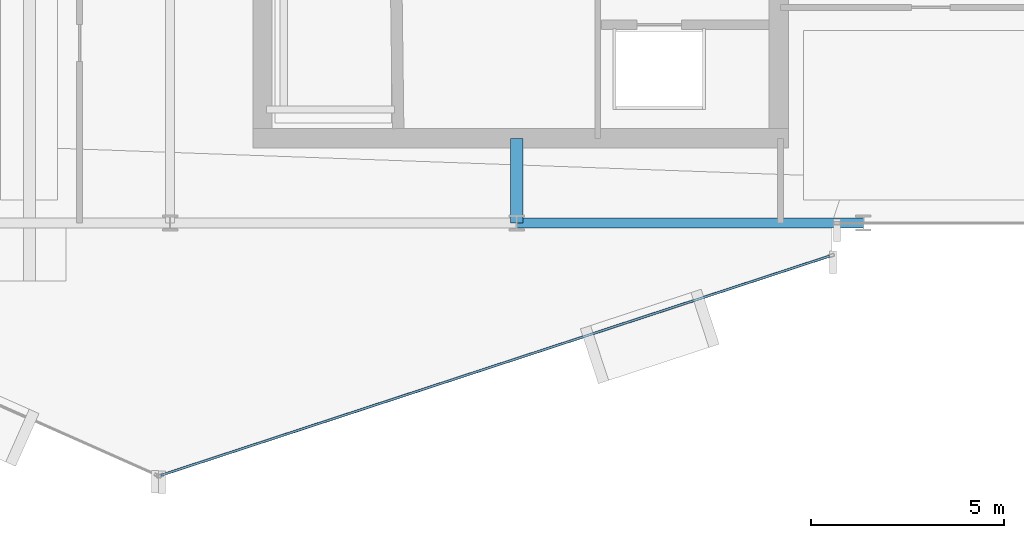
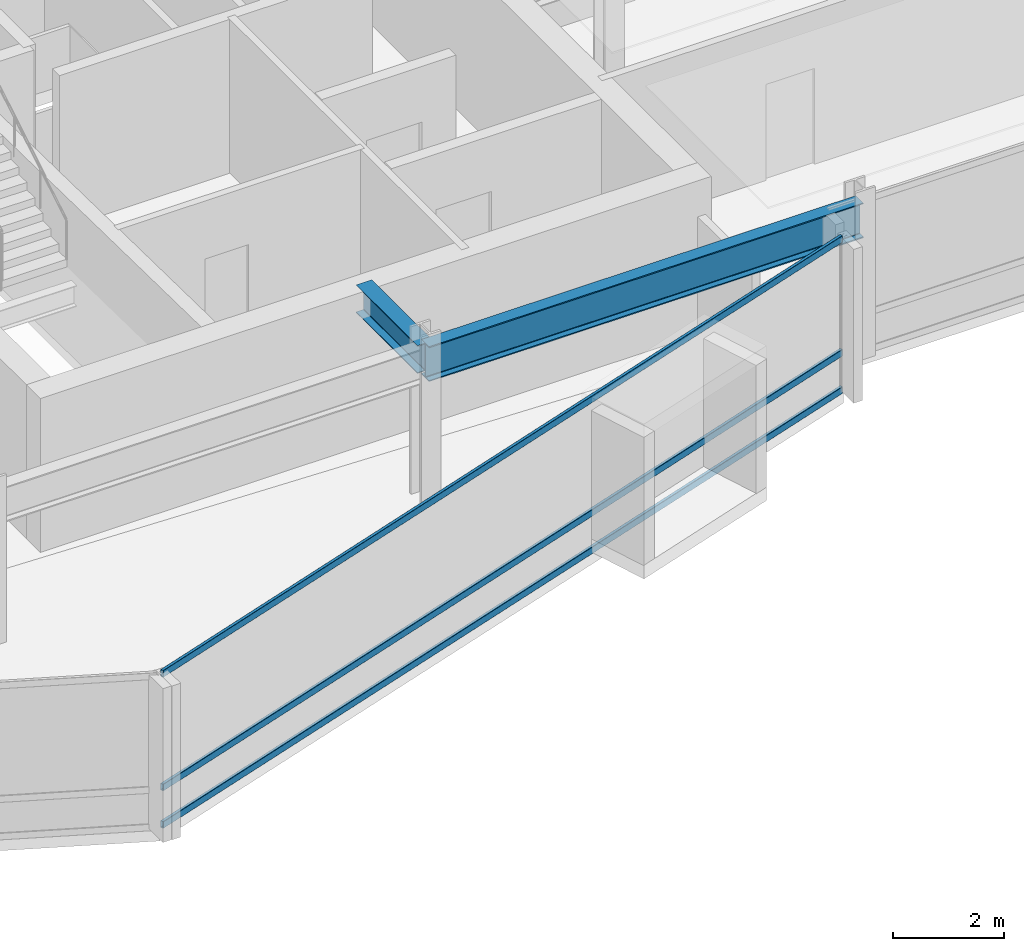
# One storey, part 9 of 27: 3 members, 2 beams, 1 element without a shape of its own.
"""IFC4 building model written with IfcOpenShell, lengths in metres."""

from ifc_helpers import new_model, si_unit, direction, frame, origin, origin_2d, place, context, subcontext, project, spatial, hollow_rectangle, i_section, extrude, material, layer, layer_set, material_profile, profile_set, type_object, element, aggregate, save


model = new_model("IFC4")

# Units and contexts
model_context = context("Model", 3, precision=1e-05, world=origin(), true_north=direction((0.0, 1.0)))
body_context = subcontext(model_context, "Body", "Model", "MODEL_VIEW")
ifc_project = project(units=[si_unit("LENGTHUNIT", "METRE"), si_unit("AREAUNIT", "SQUARE_METRE"), si_unit("VOLUMEUNIT", "CUBIC_METRE"), si_unit("PLANEANGLEUNIT", "RADIAN"), si_unit("MASSUNIT", "GRAM", prefix="KILO")], contexts=[model_context])

# Site, building, storey
site_placement = place(None, origin())
site = spatial("IfcSite", under=ifc_project, at=site_placement, CompositionType="ELEMENT")
building_placement = place(site_placement, origin())
building = spatial("IfcBuilding", under=site, at=building_placement, Name="Solvaryn Broadcast Tower", CompositionType="ELEMENT")
storey_placement = place(building_placement, frame((0.0, 0.0, 192.699951171875)))
storey = spatial("IfcBuildingStorey", under=building, at=storey_placement, Name="L48", CompositionType="ELEMENT", Elevation=192.699951171875)

# Beams
ifc_material_1 = material(Name="Steel ASTM A992 Grade 50", Category="steel")
ifc_material_profile_1 = material_profile(ifc_material_1, i_section(OverallWidth=0.323974609375, OverallDepth=0.611083984375, WebThickness=0.0126953125, FlangeThickness=0.01904296875, FilletRadius=0.014892578125, at=origin_2d()))
ifc_profile_set_1 = profile_set([ifc_material_profile_1], Name="Steel ASTM A992 Grade 50")
beam_type_1 = type_object("IfcBeamType", Name="BM-B1-W24X104", PredefinedType="BEAM", material=ifc_profile_set_1)
beam_1_placement = place(storey_placement, frame((36.0, 9.0, 3.064453125), z_axis=(0.0, 1.0, 0.0), x_axis=(-1.0, 0.0, 0.0)))
element("IfcBeam", 1, at=beam_1_placement, inside=storey, type_object=beam_type_1, Name="L48 Core Tie Beam CTE1", PredefinedType="BEAM", context=body_context, shape_type="SweptSolid", body=[
    extrude(i_section(OverallWidth=0.323974609375, OverallDepth=0.611083984375, WebThickness=0.0126953125, FlangeThickness=0.01904296875, FilletRadius=0.014892578125, at=origin_2d()), origin(), (0.0, 0.0, 1.0), 2.199951171875),
])
ifc_material_2 = material(Name="Steel ASTM A992 Grade 50", Category="steel")
ifc_material_profile_2 = material_profile(ifc_material_2, i_section(OverallWidth=0.26708984375, OverallDepth=0.76611328125, WebThickness=0.014892578125, FlangeThickness=0.023681640625, FilletRadius=0.01806640625, at=origin_2d()))
ifc_profile_set_2 = profile_set([ifc_material_profile_2], Name="Steel ASTM A992 Grade 50")
beam_type_2 = type_object("IfcBeamType", Name="BM-SP2-W30X124", PredefinedType="USERDEFINED", material=ifc_profile_set_2)
beam_2_placement = place(storey_placement, frame((36.0, 9.0, 2.987060546875), z_axis=(1.0, 0.0, 0.0), x_axis=(0.0, 1.0, 0.0)))
element("IfcBeam", 2, at=beam_2_placement, inside=storey, type_object=beam_type_2, Name="L48 Spandrel Beam X (36-45 @ Y=9)", ObjectType="SPANDREL", PredefinedType="USERDEFINED", context=body_context, shape_type="SweptSolid", body=[
    extrude(i_section(OverallWidth=0.26708984375, OverallDepth=0.76611328125, WebThickness=0.014892578125, FlangeThickness=0.023681640625, FilletRadius=0.01806640625, at=origin_2d()), origin(), (0.0, 0.0, 1.0), 9.0),
])

# Curtain wall, members
ifc_material_3 = material(Name="Aluminium and Terracotta Unitised Curtain Wall", Category="masonry")
ifc_layer = layer(ifc_material_3, 0.199951171875)
ifc_layer_set = layer_set([ifc_layer], Name="CW-SYS2-LOWMID")
curtain_wall_type = type_object("IfcCurtainWallType", Name="CW-SYS2-LOWMID", PredefinedType="NOTDEFINED", material=ifc_layer_set)
curtain_wall_placement = place(storey_placement, origin())
curtain_wall = element("IfcCurtainWall", 3, at=curtain_wall_placement, inside=storey, type_object=curtain_wall_type, Name="L48 Curtain Wall DR4", PredefinedType="NOTDEFINED")
ifc_material_4 = material(Name="Anodised Aluminium 6063-T6", Category="aluminium")
ifc_material_profile_3 = material_profile(ifc_material_4, hollow_rectangle(XDim=0.06494140625, YDim=0.14990234375, WallThickness=0.00390625, InnerFilletRadius=0.00390625, OuterFilletRadius=0.008056640625, at=origin_2d()))
ifc_profile_set_3 = profile_set([ifc_material_profile_3], Name="Anodised Aluminium 6063-T6")
member_type = type_object("IfcMemberType", Name="CW-TRN-150", PredefinedType="USERDEFINED", material=ifc_profile_set_3)
member_1_placement = place(storey_placement, frame((26.762939453125, 2.45166015625, 0.030029296875), z_axis=(0.950227141586, 0.311557987209, 0.0), x_axis=(-0.311557987209, 0.950227141586, 0.0)))
member_1 = element("IfcMember", 4, at=member_1_placement, type_object=member_type, Name="CWS2 transom 1.1", ObjectType="TRANSOM", PredefinedType="USERDEFINED", context=body_context, shape_type="SweptSolid", body=[
    extrude(hollow_rectangle(XDim=0.06494140625, YDim=0.14990234375, WallThickness=0.00390625, InnerFilletRadius=0.00390625, OuterFilletRadius=0.008056640625, at=origin_2d()), origin(), (0.0, 0.0, 1.0), 18.271484375),
])
member_2_placement = place(storey_placement, frame((26.762939453125, 2.45166015625, 0.85009765625), z_axis=(0.950227141586, 0.311557987209, 0.0), x_axis=(-0.311557987209, 0.950227141586, 0.0)))
member_2 = element("IfcMember", 5, at=member_2_placement, type_object=member_type, Name="CWS2 transom 1.2", ObjectType="TRANSOM", PredefinedType="USERDEFINED", context=body_context, shape_type="SweptSolid", body=[
    extrude(hollow_rectangle(XDim=0.06494140625, YDim=0.14990234375, WallThickness=0.00390625, InnerFilletRadius=0.00390625, OuterFilletRadius=0.008056640625, at=origin_2d()), origin(), (0.0, 0.0, 1.0), 18.271484375),
])
member_3_placement = place(storey_placement, frame((26.762939453125, 2.45166015625, 3.340087890625), z_axis=(0.950227141586, 0.311557987209, 0.0), x_axis=(-0.311557987209, 0.950227141586, 0.0)))
member_3 = element("IfcMember", 6, at=member_3_placement, type_object=member_type, Name="CWS2 transom 1.3", ObjectType="TRANSOM", PredefinedType="USERDEFINED", context=body_context, shape_type="SweptSolid", body=[
    extrude(hollow_rectangle(XDim=0.06494140625, YDim=0.14990234375, WallThickness=0.00390625, InnerFilletRadius=0.00390625, OuterFilletRadius=0.008056640625, at=origin_2d()), origin(), (0.0, 0.0, 1.0), 18.271484375),
])
aggregate(curtain_wall, [member_1, member_2, member_3])

save(model, "model.ifc")
